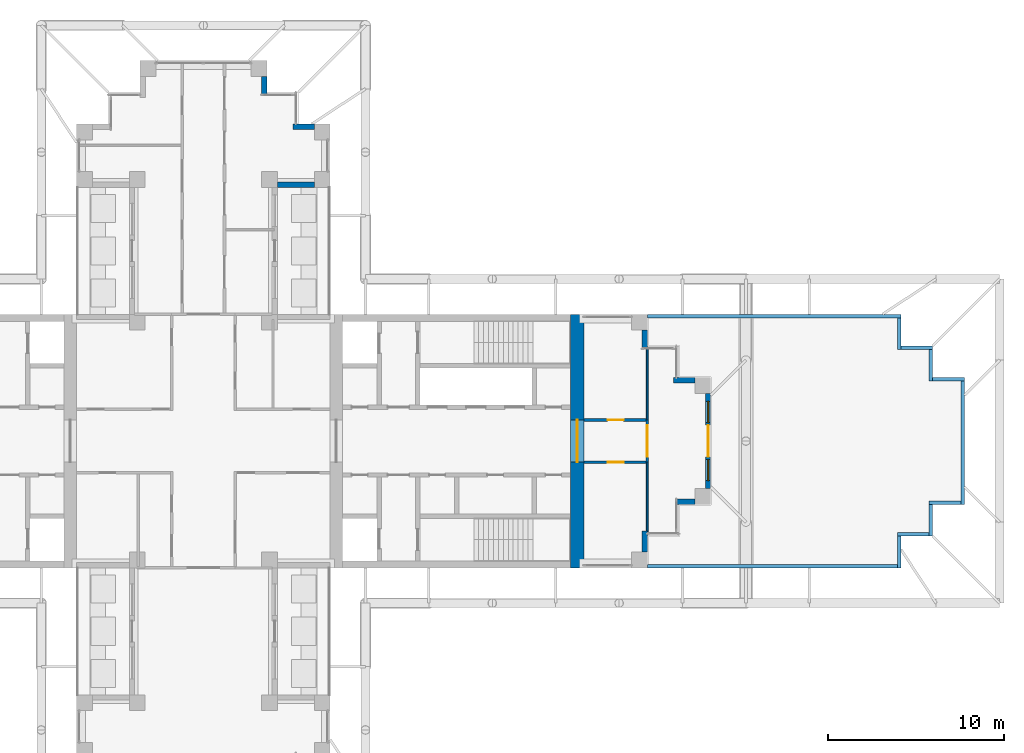
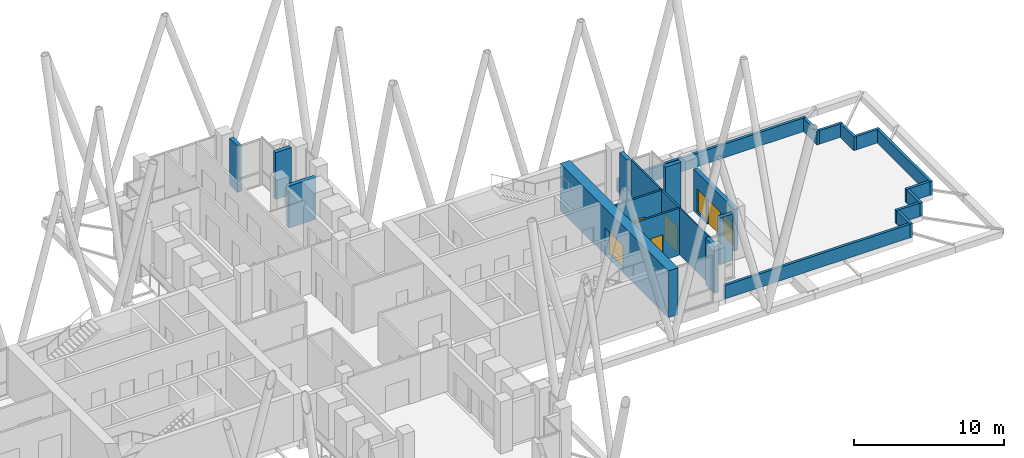
# One storey, part 15 of 19: 25 walls, 5 doors, 2 windows, 7 openings.
"""IFC4 building model written with IfcOpenShell, lengths in metres."""

from ifc_helpers import new_model, si_unit, direction, frame, frame_2d, origin, place, context, subcontext, project, spatial, rectangle, extrude, material, layer, layer_set, type_object, element, fill, save


model = new_model("IFC4")

# Units and contexts
model_context = context("Model", 3, precision=1e-05, world=origin(), true_north=direction((0.0, 1.0)))
body_context = subcontext(model_context, "Body", "Model", "MODEL_VIEW")
ifc_project = project(units=[si_unit("LENGTHUNIT", "METRE"), si_unit("AREAUNIT", "SQUARE_METRE"), si_unit("VOLUMEUNIT", "CUBIC_METRE"), si_unit("PLANEANGLEUNIT", "RADIAN"), si_unit("MASSUNIT", "GRAM", prefix="KILO")], contexts=[model_context])

# Site, building, storey
site_placement = place(None, origin())
site = spatial("IfcSite", under=ifc_project, at=site_placement, CompositionType="ELEMENT")
building_placement = place(site_placement, origin())
building = spatial("IfcBuilding", under=site, at=building_placement, Name="Fustian Cross Tower", CompositionType="ELEMENT")
storey_placement = place(building_placement, frame((0.0, 0.0, 166.5)))
storey = spatial("IfcBuildingStorey", under=building, at=storey_placement, Name="L52", CompositionType="ELEMENT", Elevation=166.5)

# Wall, opening, door
ifc_material_1 = material(Name="Plasterboard on steel stud", Category="steel")
ifc_layer_1 = layer(ifc_material_1, 0.14990234375)
ifc_layer_set_1 = layer_set([ifc_layer_1], Name="Plasterboard on steel stud")
wall_type_1 = type_object("IfcWallType", Name="COMPARTMENT WALL 150 EI 60", PredefinedType="PARTITIONING", material=ifc_layer_set_1)
wall_1_placement = place(storey_placement, frame((21.60009765625, -1.199951171875, 0.0), z_axis=(0.0, 0.0, 1.0), x_axis=(1.0, 0.0, 0.0)))
wall_1 = element("IfcWall", 1, at=wall_1_placement, inside=storey, type_object=wall_type_1, Name="Partition 24", PredefinedType="PARTITIONING", context=body_context, shape_type="SweptSolid", body=[
    extrude(rectangle(XDim=3.52490234375, YDim=0.14990234375, at=frame_2d((1.762451171875, 0.0))), origin(), (0.0, 0.0, 1.0), 3.800048828125),
])
opening_1_placement = place(wall_1_placement, frame((1.35009765625, 0.0, 0.0)))
opening_1 = element("IfcOpeningElement", 2, at=opening_1_placement, cuts=wall_1, Name="Opening D24025", PredefinedType="OPENING", context=body_context, shape_type="SweptSolid", body=[
    extrude(rectangle(XDim=0.89990234375, YDim=2.10009765625, at=frame_2d((0.449951171875, 1.050048828125))), frame((0.0, 0.0849609375, 0.0), z_axis=(0.0, -1.0, 0.0), x_axis=(1.0, 0.0, 0.0)), (0.0, 0.0, 1.0), 0.169921875),
])
ifc_material_2 = material(Name="Timber fire door set", Category="wood")
door_type_1 = type_object("IfcDoorType", Name="FIRE SWING DOOR 900 FD30S", OperationType="SINGLE_SWING_LEFT", PredefinedType="DOOR", material=ifc_material_2)
door_1_placement = place(opening_1_placement, frame((0.89990234375, 0.0, 0.0), z_axis=(0.0, 0.0, 1.0), x_axis=(-1.0, 0.0, 0.0)))
door_1 = element("IfcDoor", 3, at=door_1_placement, inside=storey, type_object=door_type_1, Name="Door D24025", OperationType="SINGLE_SWING_RIGHT", OverallHeight=2.10009765625, OverallWidth=0.89990234375, PredefinedType="DOOR", context=body_context, shape_type="SweptSolid", body=[
    extrude(rectangle(XDim=0.89990234375, YDim=2.10009765625, at=frame_2d((0.449951171875, 1.050048828125))), frame((0.0, 0.02490234375, 0.0), z_axis=(0.0, -1.0, 0.0), x_axis=(1.0, 0.0, 0.0)), (0.0, 0.0, 1.0), 0.050048828125),
])
fill(opening_1, door_1)

wall_2_placement = place(storey_placement, frame((21.60009765625, 1.199951171875, 0.0), z_axis=(0.0, 0.0, 1.0), x_axis=(1.0, 0.0, 0.0)))
wall_2 = element("IfcWall", 4, at=wall_2_placement, inside=storey, type_object=wall_type_1, Name="Partition 25", PredefinedType="PARTITIONING", context=body_context, shape_type="SweptSolid", body=[
    extrude(rectangle(XDim=3.52490234375, YDim=0.14990234375, at=frame_2d((1.762451171875, 0.0))), origin(), (0.0, 0.0, 1.0), 3.800048828125),
])
opening_2_placement = place(wall_2_placement, frame((1.35009765625, 0.0, 0.0)))
opening_2 = element("IfcOpeningElement", 5, at=opening_2_placement, cuts=wall_2, Name="Opening D24024", PredefinedType="OPENING", context=body_context, shape_type="SweptSolid", body=[
    extrude(rectangle(XDim=0.89990234375, YDim=2.10009765625, at=frame_2d((0.449951171875, 1.050048828125))), frame((0.0, 0.0849609375, 0.0), z_axis=(0.0, -1.0, 0.0), x_axis=(1.0, 0.0, 0.0)), (0.0, 0.0, 1.0), 0.169921875),
])
door_2_placement = place(opening_2_placement, origin())
door_2 = element("IfcDoor", 6, at=door_2_placement, inside=storey, type_object=door_type_1, Name="Door D24024", OperationType="SINGLE_SWING_LEFT", OverallHeight=2.10009765625, OverallWidth=0.89990234375, PredefinedType="DOOR", context=body_context, shape_type="SweptSolid", body=[
    extrude(rectangle(XDim=0.89990234375, YDim=2.10009765625, at=frame_2d((0.449951171875, 1.050048828125))), frame((0.0, 0.02490234375, 0.0), z_axis=(0.0, -1.0, 0.0), x_axis=(1.0, 0.0, 0.0)), (0.0, 0.0, 1.0), 0.050048828125),
])
fill(opening_2, door_2)

wall_3_placement = place(storey_placement, frame((25.199951171875, -1.199951171875, 0.0), z_axis=(0.0, 0.0, 1.0), x_axis=(0.0, 1.0, 0.0)))
wall_3 = element("IfcWall", 7, at=wall_3_placement, inside=storey, type_object=wall_type_1, Name="Partition 27", PredefinedType="PARTITIONING", context=body_context, shape_type="SweptSolid", body=[
    extrude(rectangle(XDim=2.39990234375, YDim=0.14990234375, at=frame_2d((1.199951171875, 0.0))), origin(), (0.0, 0.0, 1.0), 3.800048828125),
])
opening_3_placement = place(wall_3_placement, frame((0.300048828125, 0.0, 0.0)))
opening_3 = element("IfcOpeningElement", 8, at=opening_3_placement, cuts=wall_3, Name="Opening D24023", PredefinedType="OPENING", context=body_context, shape_type="SweptSolid", body=[
    extrude(rectangle(XDim=1.800048828125, YDim=2.10009765625, at=frame_2d((0.89990234375, 1.050048828125))), frame((0.0, 0.0849609375, 0.0), z_axis=(0.0, -1.0, 0.0), x_axis=(1.0, 0.0, 0.0)), (0.0, 0.0, 1.0), 0.169921875),
])
ifc_material_3 = material(Name="Timber fire door set", Category="wood")
door_type_2 = type_object("IfcDoorType", Name="FIRE DOUBLE DOOR 1800 FD30S", OperationType="DOUBLE_DOOR_DOUBLE_SWING", PredefinedType="DOOR", material=ifc_material_3)
door_3_placement = place(opening_3_placement, origin())
door_3 = element("IfcDoor", 9, at=door_3_placement, inside=storey, type_object=door_type_2, Name="Door D24023", OperationType="DOUBLE_DOOR_DOUBLE_SWING", OverallHeight=2.10009765625, OverallWidth=1.800048828125, PredefinedType="DOOR", context=body_context, shape_type="SweptSolid", body=[
    extrude(rectangle(XDim=1.800048828125, YDim=2.10009765625, at=frame_2d((0.89990234375, 1.050048828125))), frame((0.0, 0.02490234375, 0.0), z_axis=(0.0, -1.0, 0.0), x_axis=(1.0, 0.0, 0.0)), (0.0, 0.0, 1.0), 0.050048828125),
])
fill(opening_3, door_3)

ifc_material_4 = material(Name="Concrete C50/60", Category="concrete")
ifc_layer_2 = layer(ifc_material_4, 0.75)
ifc_layer_set_2 = layer_set([ifc_layer_2], Name="Concrete C50/60")
wall_type_2 = type_object("IfcWallType", Name="CORE END WALL 750 C50/60", PredefinedType="SHEAR", material=ifc_layer_set_2)
wall_4_placement = place(storey_placement, frame((21.22509765625, -7.199951171875, 0.0), z_axis=(0.0, 0.0, 1.0), x_axis=(0.0, 1.0, 0.0)))
wall_4 = element("IfcWall", 10, at=wall_4_placement, inside=storey, type_object=wall_type_2, Name="Core end wall", PredefinedType="SHEAR", context=body_context, shape_type="SweptSolid", body=[
    extrude(rectangle(XDim=14.39990234375, YDim=0.75, at=frame_2d((7.199951171875, 0.0))), origin(), (0.0, 0.0, 1.0), 3.800048828125),
])
opening_4_placement = place(wall_4_placement, frame((6.0, 0.0, 0.0)))
opening_4 = element("IfcOpeningElement", 11, at=opening_4_placement, cuts=wall_4, Name="Opening CD-21-13", PredefinedType="OPENING", context=body_context, shape_type="SweptSolid", body=[
    extrude(rectangle(XDim=2.39990234375, YDim=2.199951171875, at=frame_2d((1.199951171875, 1.10009765625))), frame((0.0, 0.385009765625, 0.0), z_axis=(0.0, -1.0, 0.0), x_axis=(1.0, 0.0, 0.0)), (0.0, 0.0, 1.0), 0.77001953125),
])
ifc_material_5 = material(Name="Steel", Category="steel")
door_type_3 = type_object("IfcDoorType", Name="FIRE DOOR FD30S DOUBLE 2400X2200", OperationType="DOUBLE_DOOR_DOUBLE_SWING", PredefinedType="DOOR", material=ifc_material_5)
door_4_placement = place(opening_4_placement, origin())
door_4 = element("IfcDoor", 12, at=door_4_placement, inside=storey, type_object=door_type_3, Name="Core door CD-21-13", OperationType="DOUBLE_DOOR_DOUBLE_SWING", OverallHeight=2.199951171875, OverallWidth=2.39990234375, PredefinedType="DOOR", context=body_context, shape_type="SweptSolid", body=[
    extrude(rectangle(XDim=2.39990234375, YDim=2.199951171875, at=frame_2d((1.199951171875, 1.10009765625))), frame((0.0, 0.02490234375, 0.0), z_axis=(0.0, -1.0, 0.0), x_axis=(1.0, 0.0, 0.0)), (0.0, 0.0, 1.0), 0.050048828125),
])
fill(opening_4, door_4)

# Walls
ifc_material_6 = material(Name="Dark rainscreen cladding on blockwork", Category="masonry")
ifc_layer_3 = layer(ifc_material_6, 0.199951171875)
ifc_layer_set_3 = layer_set([ifc_layer_3], Name="Dark rainscreen cladding on blockwork")
wall_type_3 = type_object("IfcWallType", Name="PARAPET 200", PredefinedType="PARAPET", material=ifc_layer_set_3)
wall_5_placement = place(storey_placement, frame((25.199951171875, -7.10009765625, 0.0), z_axis=(0.0, 0.0, 1.0), x_axis=(1.0, 0.0, 0.0)))
element("IfcWall", 13, at=wall_5_placement, inside=storey, type_object=wall_type_3, Name="Terrace parapet L52 1", PredefinedType="PARAPET", context=body_context, shape_type="SweptSolid", body=[
    extrude(rectangle(XDim=14.199951171875, YDim=0.199951171875, at=frame_2d((7.10009765625, 0.0))), origin(), (0.0, 0.0, 1.0), 1.10009765625),
])
for number, where, z_axis, x_axis, name in (
    (14, (39.5, -7.199951171875, 0.0), (0.0, 0.0, 1.0), (0.0, 1.0, 0.0), "Terrace parapet L52 2"),
    (15, (39.39990234375, -5.300048828125, 0.0), (0.0, 0.0, 1.0), (1.0, 0.0, 0.0), "Terrace parapet L52 3"),
):
    element("IfcWall", number, at=place(storey_placement, frame(where, z_axis=z_axis, x_axis=x_axis)), inside=storey, type_object=wall_type_3, Name=name, PredefinedType="PARAPET", context=body_context, shape_type="SweptSolid", body=[
        extrude(rectangle(XDim=1.800048828125, YDim=0.199951171875, at=frame_2d((0.89990234375, 0.0))), origin(), (0.0, 0.0, 1.0), 1.10009765625),
    ])
wall_6_placement = place(storey_placement, frame((41.300048828125, -5.39990234375, 0.0), z_axis=(0.0, 0.0, 1.0), x_axis=(0.0, 1.0, 0.0)))
element("IfcWall", 16, at=wall_6_placement, inside=storey, type_object=wall_type_3, Name="Terrace parapet L52 4", PredefinedType="PARAPET", context=body_context, shape_type="SweptSolid", body=[
    extrude(rectangle(XDim=1.7998046875, YDim=0.199951171875, at=frame_2d((0.89990234375, 0.0))), origin(), (0.0, 0.0, 1.0), 1.10009765625),
])
wall_7_placement = place(storey_placement, frame((41.199951171875, -3.5, 0.0), z_axis=(0.0, 0.0, 1.0), x_axis=(1.0, 0.0, 0.0)))
element("IfcWall", 17, at=wall_7_placement, inside=storey, type_object=wall_type_3, Name="Terrace parapet L52 5", PredefinedType="PARAPET", context=body_context, shape_type="SweptSolid", body=[
    extrude(rectangle(XDim=1.800048828125, YDim=0.199951171875, at=frame_2d((0.89990234375, 0.0))), origin(), (0.0, 0.0, 1.0), 1.10009765625),
])
wall_8_placement = place(storey_placement, frame((43.10009765625, -3.60009765625, 0.0), z_axis=(0.0, 0.0, 1.0), x_axis=(0.0, 1.0, 0.0)))
element("IfcWall", 18, at=wall_8_placement, inside=storey, type_object=wall_type_3, Name="Terrace parapet L52 6", PredefinedType="PARAPET", context=body_context, shape_type="SweptSolid", body=[
    extrude(rectangle(XDim=7.0, YDim=0.199951171875, at=frame_2d((3.5, 0.0))), origin(), (0.0, 0.0, 1.0), 1.10009765625),
])
for number, where, z_axis, x_axis, name in (
    (19, (43.199951171875, 3.5, 0.0), (0.0, 0.0, 1.0), (-1.0, 0.0, 0.0), "Terrace parapet L52 7"),
    (20, (41.300048828125, 3.39990234375, 0.0), (0.0, 0.0, 1.0), (0.0, 1.0, 0.0), "Terrace parapet L52 8"),
):
    element("IfcWall", number, at=place(storey_placement, frame(where, z_axis=z_axis, x_axis=x_axis)), inside=storey, type_object=wall_type_3, Name=name, PredefinedType="PARAPET", context=body_context, shape_type="SweptSolid", body=[
        extrude(rectangle(XDim=1.800048828125, YDim=0.199951171875, at=frame_2d((0.89990234375, 0.0))), origin(), (0.0, 0.0, 1.0), 1.10009765625),
    ])
wall_9_placement = place(storey_placement, frame((41.39990234375, 5.300048828125, 0.0), z_axis=(0.0, 0.0, 1.0), x_axis=(-1.0, 0.0, 0.0)))
element("IfcWall", 21, at=wall_9_placement, inside=storey, type_object=wall_type_3, Name="Terrace parapet L52 9", PredefinedType="PARAPET", context=body_context, shape_type="SweptSolid", body=[
    extrude(rectangle(XDim=1.7998046875, YDim=0.199951171875, at=frame_2d((0.89990234375, 0.0))), origin(), (0.0, 0.0, 1.0), 1.10009765625),
])
wall_10_placement = place(storey_placement, frame((39.5, 5.199951171875, 0.0), z_axis=(0.0, 0.0, 1.0), x_axis=(0.0, 1.0, 0.0)))
element("IfcWall", 22, at=wall_10_placement, inside=storey, type_object=wall_type_3, Name="Terrace parapet L52 10", PredefinedType="PARAPET", context=body_context, shape_type="SweptSolid", body=[
    extrude(rectangle(XDim=1.800048828125, YDim=0.199951171875, at=frame_2d((0.89990234375, 0.0))), origin(), (0.0, 0.0, 1.0), 1.10009765625),
])
wall_11_placement = place(storey_placement, frame((39.60009765625, 7.10009765625, 0.0), z_axis=(0.0, 0.0, 1.0), x_axis=(-1.0, 0.0, 0.0)))
element("IfcWall", 23, at=wall_11_placement, inside=storey, type_object=wall_type_3, Name="Terrace parapet L52 11", PredefinedType="PARAPET", context=body_context, shape_type="SweptSolid", body=[
    extrude(rectangle(XDim=14.400146484375, YDim=0.199951171875, at=frame_2d((7.2001953125, 0.0))), origin(), (0.0, 0.0, 1.0), 1.10009765625),
])
ifc_material_7 = material(Name="Plasterboard on steel stud", Category="steel")
ifc_layer_4 = layer(ifc_material_7, 0.10009765625)
ifc_layer_set_4 = layer_set([ifc_layer_4], Name="Plasterboard on steel stud")
wall_type_4 = type_object("IfcWallType", Name="PARTITION 100 STUD", PredefinedType="PARTITIONING", material=ifc_layer_set_4)
for number, where, z_axis, x_axis, name in (
    (24, (25.199951171875, -5.219970703125, 0.0), (0.0, 0.0, 1.0), (0.0, 1.0, 0.0), "Partition 26"),
    (25, (25.199951171875, 1.199951171875, 0.0), (0.0, 0.0, 1.0), (0.0, 1.0, 0.0), "Partition 28"),
):
    element("IfcWall", number, at=place(storey_placement, frame(where, z_axis=z_axis, x_axis=x_axis)), inside=storey, type_object=wall_type_4, Name=name, PredefinedType="PARTITIONING", context=body_context, shape_type="SweptSolid", body=[
        extrude(rectangle(XDim=4.02001953125, YDim=0.10009765625, at=frame_2d((2.010009765625, 0.0))), origin(), (0.0, 0.0, 1.0), 3.800048828125),
    ])
ifc_material_8 = material(Name="Dark aluminium cladding on insulated backing wall", Category="aluminium")
ifc_layer_5 = layer(ifc_material_8, 0.300048828125)
ifc_layer_set_5 = layer_set([ifc_layer_5], Name="Dark aluminium cladding on insulated backing wall")
wall_type_5 = type_object("IfcWallType", Name="XW1 EXTERNAL WALL 300", PredefinedType="SOLIDWALL", material=ifc_layer_set_5)
wall_12_placement = place(storey_placement, frame((25.050048828125, -6.300048828125, 0.0), z_axis=(0.0, 0.0, 1.0), x_axis=(0.0, 1.0, 0.0)))
element("IfcWall", 26, at=wall_12_placement, inside=storey, type_object=wall_type_5, Name="External wall", PredefinedType="SOLIDWALL", context=body_context, shape_type="SweptSolid", body=[
    extrude(rectangle(XDim=1.199951171875, YDim=0.300048828125, at=frame_2d((0.60009765625, 0.0))), origin(), (0.0, 0.0, 1.0), 3.800048828125),
])
wall_13_placement = place(storey_placement, frame((26.8798828125, -3.449951171875, 0.0), z_axis=(0.0, 0.0, 1.0), x_axis=(1.0, 0.0, 0.0)))
element("IfcWall", 27, at=wall_13_placement, inside=storey, type_object=wall_type_5, Name="External wall", PredefinedType="SOLIDWALL", context=body_context, shape_type="SweptSolid", body=[
    extrude(rectangle(XDim=1.02001953125, YDim=0.300048828125, at=frame_2d((0.510009765625, 0.0))), origin(), (0.0, 0.0, 1.0), 3.800048828125),
])

# Wall, openings, door, windows
wall_14_placement = place(storey_placement, frame((28.64990234375, -2.699951171875, 0.0), z_axis=(0.0, 0.0, 1.0), x_axis=(0.0, 1.0, 0.0)))
wall_14 = element("IfcWall", 28, at=wall_14_placement, inside=storey, type_object=wall_type_5, Name="External wall", PredefinedType="SOLIDWALL", context=body_context, shape_type="SweptSolid", body=[
    extrude(rectangle(XDim=5.39990234375, YDim=0.300048828125, at=frame_2d((2.699951171875, 0.0))), origin(), (0.0, 0.0, 1.0), 3.39990234375),
])
opening_5_placement = place(wall_14_placement, frame((1.800048828125, 0.0, 0.0)))
opening_5 = element("IfcOpeningElement", 29, at=opening_5_placement, cuts=wall_14, Name="Opening XD7", PredefinedType="OPENING", context=body_context, shape_type="SweptSolid", body=[
    extrude(rectangle(XDim=1.800048828125, YDim=2.050048828125, at=frame_2d((0.89990234375, 1.02490234375))), frame((0.0, 0.159912109375, 0.0), z_axis=(0.0, -1.0, 0.0), x_axis=(1.0, 0.0, 0.0)), (0.0, 0.0, 1.0), 0.320068359375),
])
opening_6_placement = place(wall_14_placement, frame((0.449951171875, 0.0, 0.199951171875)))
opening_6 = element("IfcOpeningElement", 30, at=opening_6_placement, cuts=wall_14, Name="Opening WN3", PredefinedType="OPENING", context=body_context, shape_type="SweptSolid", body=[
    extrude(rectangle(XDim=1.199951171875, YDim=1.85009765625, at=frame_2d((0.60009765625, 0.925048828125))), frame((0.0, 0.159912109375, 0.0), z_axis=(0.0, -1.0, 0.0), x_axis=(1.0, 0.0, 0.0)), (0.0, 0.0, 1.0), 0.320068359375),
])
opening_7_placement = place(wall_14_placement, frame((3.75, 0.0, 0.199951171875)))
opening_7 = element("IfcOpeningElement", 31, at=opening_7_placement, cuts=wall_14, Name="Opening WN3", PredefinedType="OPENING", context=body_context, shape_type="SweptSolid", body=[
    extrude(rectangle(XDim=1.199951171875, YDim=1.85009765625, at=frame_2d((0.60009765625, 0.925048828125))), frame((0.0, 0.159912109375, 0.0), z_axis=(0.0, -1.0, 0.0), x_axis=(1.0, 0.0, 0.0)), (0.0, 0.0, 1.0), 0.320068359375),
])
ifc_material_9 = material(Name="Dark anodised aluminium and double glazing", Category="aluminium")
door_type_4 = type_object("IfcDoorType", Name="ED2 TERRACE DOOR 1800X2050", OperationType="SINGLE_SWING_LEFT", PredefinedType="DOOR", material=ifc_material_9)
door_5_placement = place(opening_5_placement, origin())
door_5 = element("IfcDoor", 32, at=door_5_placement, inside=storey, type_object=door_type_4, Name="Terrace door", OperationType="SINGLE_SWING_LEFT", OverallHeight=2.050048828125, OverallWidth=1.800048828125, PredefinedType="DOOR", context=body_context, shape_type="SweptSolid", body=[
    extrude(rectangle(XDim=1.800048828125, YDim=2.050048828125, at=frame_2d((0.89990234375, 1.02490234375))), frame((0.0, 0.02490234375, 0.0), z_axis=(0.0, -1.0, 0.0), x_axis=(1.0, 0.0, 0.0)), (0.0, 0.0, 1.0), 0.050048828125),
])
fill(opening_5, door_5)
ifc_material_10 = material(Name="Dark anodised aluminium and double glazing", Category="aluminium")
window_type = type_object("IfcWindowType", Name="WN3 WINDOW 1200X1850", PartitioningType="SINGLE_PANEL", PredefinedType="WINDOW", material=ifc_material_10)
window_1_placement = place(opening_6_placement, origin())
window_1 = element("IfcWindow", 33, at=window_1_placement, inside=storey, type_object=window_type, Name="Window", OverallHeight=1.85009765625, OverallWidth=1.199951171875, PartitioningType="SINGLE_PANEL", PredefinedType="WINDOW", context=body_context, shape_type="SweptSolid", body=[
    extrude(rectangle(XDim=1.199951171875, YDim=1.85009765625, at=frame_2d((0.60009765625, 0.925048828125))), frame((0.0, 0.030029296875, 0.0), z_axis=(0.0, -1.0, 0.0), x_axis=(1.0, 0.0, 0.0)), (0.0, 0.0, 1.0), 0.06005859375),
])
fill(opening_6, window_1)
window_2_placement = place(opening_7_placement, origin())
window_2 = element("IfcWindow", 34, at=window_2_placement, inside=storey, type_object=window_type, Name="Window", OverallHeight=1.85009765625, OverallWidth=1.199951171875, PartitioningType="SINGLE_PANEL", PredefinedType="WINDOW", context=body_context, shape_type="SweptSolid", body=[
    extrude(rectangle(XDim=1.199951171875, YDim=1.85009765625, at=frame_2d((0.60009765625, 0.925048828125))), frame((0.0, 0.030029296875, 0.0), z_axis=(0.0, -1.0, 0.0), x_axis=(1.0, 0.0, 0.0)), (0.0, 0.0, 1.0), 0.06005859375),
])
fill(opening_7, window_2)

# Walls
wall_15_placement = place(storey_placement, frame((27.89990234375, 3.449951171875, 0.0), z_axis=(0.0, 0.0, 1.0), x_axis=(-1.0, 0.0, 0.0)))
element("IfcWall", 35, at=wall_15_placement, inside=storey, type_object=wall_type_5, Name="External wall", PredefinedType="SOLIDWALL", context=body_context, shape_type="SweptSolid", body=[
    extrude(rectangle(XDim=1.199951171875, YDim=0.300048828125, at=frame_2d((0.60009765625, 0.0))), origin(), (0.0, 0.0, 1.0), 3.800048828125),
])
wall_16_placement = place(storey_placement, frame((25.050048828125, 5.280029296875, 0.0), z_axis=(0.0, 0.0, 1.0), x_axis=(0.0, 1.0, 0.0)))
element("IfcWall", 36, at=wall_16_placement, inside=storey, type_object=wall_type_5, Name="External wall", PredefinedType="SOLIDWALL", context=body_context, shape_type="SweptSolid", body=[
    extrude(rectangle(XDim=1.02001953125, YDim=0.300048828125, at=frame_2d((0.510009765625, 0.0))), origin(), (0.0, 0.0, 1.0), 3.800048828125),
])
wall_17_placement = place(storey_placement, frame((4.199951171875, 14.550048828125, 0.0), z_axis=(0.0, 0.0, 1.0), x_axis=(1.0, 0.0, 0.0)))
element("IfcWall", 37, at=wall_17_placement, inside=storey, type_object=wall_type_5, Name="External wall", PredefinedType="SOLIDWALL", context=body_context, shape_type="SweptSolid", body=[
    extrude(rectangle(XDim=2.10009765625, YDim=0.300048828125, at=frame_2d((1.050048828125, 0.0))), origin(), (0.0, 0.0, 1.0), 3.39990234375),
])
wall_18_placement = place(storey_placement, frame((6.300048828125, 17.85009765625, 0.0), z_axis=(0.0, 0.0, 1.0), x_axis=(-1.0, 0.0, 0.0)))
element("IfcWall", 38, at=wall_18_placement, inside=storey, type_object=wall_type_5, Name="External wall", PredefinedType="SOLIDWALL", context=body_context, shape_type="SweptSolid", body=[
    extrude(rectangle(XDim=1.199951171875, YDim=0.300048828125, at=frame_2d((0.60009765625, 0.0))), origin(), (0.0, 0.0, 1.0), 3.800048828125),
])
wall_19_placement = place(storey_placement, frame((3.449951171875, 19.679931640625, 0.0), z_axis=(0.0, 0.0, 1.0), x_axis=(0.0, 1.0, 0.0)))
element("IfcWall", 39, at=wall_19_placement, inside=storey, type_object=wall_type_5, Name="External wall", PredefinedType="SOLIDWALL", context=body_context, shape_type="SweptSolid", body=[
    extrude(rectangle(XDim=1.02001953125, YDim=0.300048828125, at=frame_2d((0.510009765625, 0.0))), origin(), (0.0, 0.0, 1.0), 3.800048828125),
])

save(model, "model.ifc")
